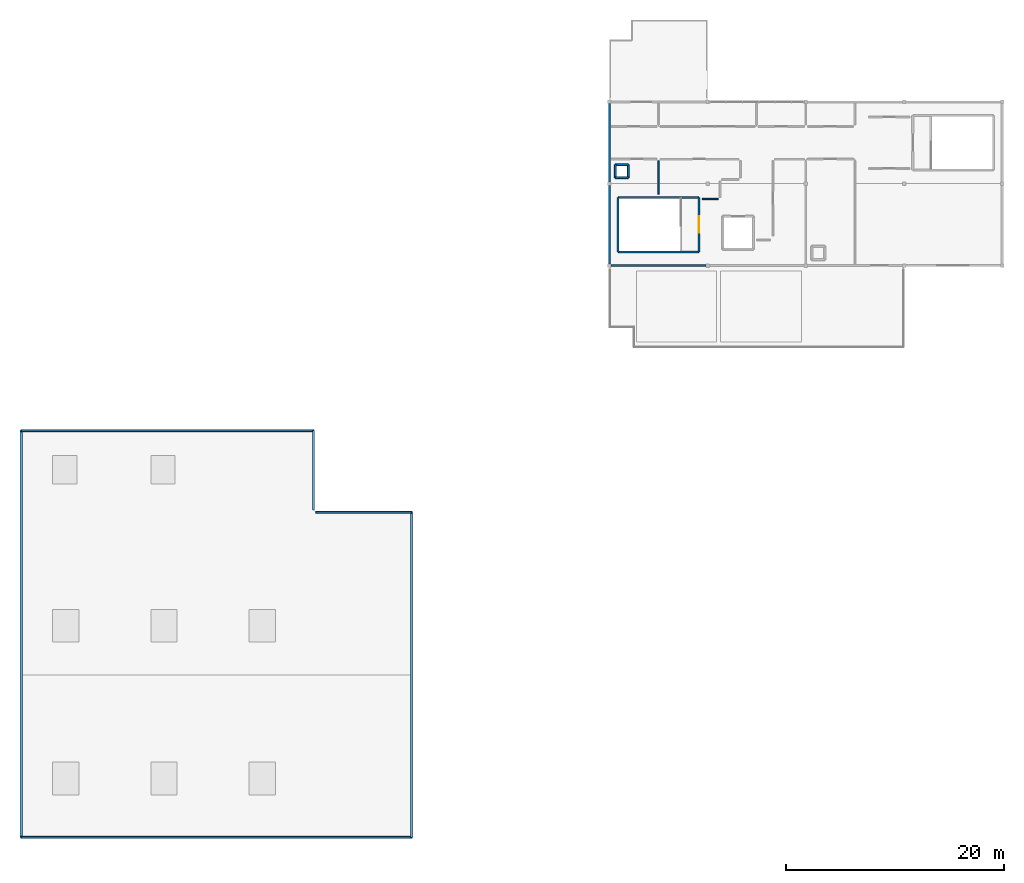
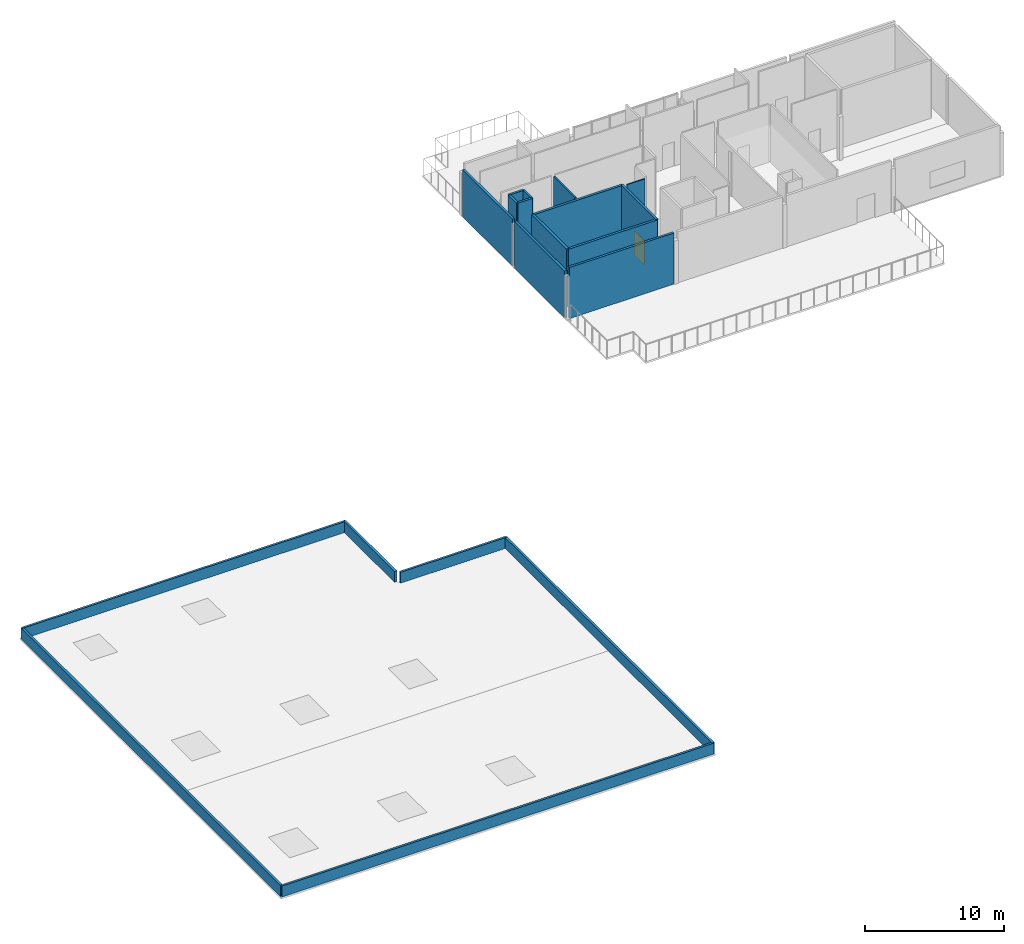
# One storey, part 5 of 8: 19 walls, 1 door, 1 opening.
"""IFC4 building model written with IfcOpenShell, lengths in metres."""

from ifc_helpers import new_model, si_unit, direction, frame, frame_2d, origin, place, context, subcontext, project, spatial, rectangle, extrude, material, layer, layer_set, type_object, element, fill, save


model = new_model("IFC4")

# Units and contexts
model_context = context("Model", 3, precision=1e-05, world=origin(), true_north=direction((0.0, 1.0)))
body_context = subcontext(model_context, "Body", "Model", "MODEL_VIEW")
ifc_project = project(units=[si_unit("LENGTHUNIT", "METRE"), si_unit("AREAUNIT", "SQUARE_METRE"), si_unit("VOLUMEUNIT", "CUBIC_METRE"), si_unit("PLANEANGLEUNIT", "RADIAN"), si_unit("MASSUNIT", "GRAM", prefix="KILO")], contexts=[model_context])

# Site, building, storey
site_placement = place(None, origin())
site = spatial("IfcSite", under=ifc_project, at=site_placement, CompositionType="ELEMENT")
building_placement = place(site_placement, origin())
building = spatial("IfcBuilding", under=site, at=building_placement, Name="Marnridge Secondary College", CompositionType="ELEMENT")
storey_placement = place(building_placement, frame((0.0, 0.0, 19.89990234375)))
storey = spatial("IfcBuildingStorey", under=building, at=storey_placement, Name="L05", CompositionType="ELEMENT", Elevation=19.89990234375)

# Wall
ifc_material_1 = material(Name="Concrete C40/50 (AS 3600 N40, 40 MPa)", Category="concrete")
ifc_layer_1 = layer(ifc_material_1, 0.199951171875)
ifc_layer_set_1 = layer_set([ifc_layer_1], Name="WT-CORE-RC200")
wall_type_1 = type_object("IfcWallType", Name="WT-CORE-RC200", PredefinedType="SHEAR", material=ifc_layer_set_1)
wall_1_placement = place(storey_placement, frame((54.800048828125, 53.75, 0.0), z_axis=(0.0, 0.0, 1.0), x_axis=(1.0, 0.0, 0.0)))
element("IfcWall", 1, at=wall_1_placement, inside=storey, type_object=wall_type_1, Name="Stair core shear wall WC-L05-0269", PredefinedType="SHEAR", context=body_context, shape_type="SweptSolid", body=[
    extrude(rectangle(XDim=7.39990234375, YDim=0.199951171875, at=frame_2d((3.699951171875, 0.0))), origin(), (0.0, 0.0, 1.0), 5.10009765625),
])

# Wall, opening, door
wall_2_placement = place(storey_placement, frame((62.199951171875, 53.75, 0.0), z_axis=(0.0, 0.0, 1.0), x_axis=(0.0, 1.0, 0.0)))
wall_2 = element("IfcWall", 2, at=wall_2_placement, inside=storey, type_object=wall_type_1, Name="Stair core shear wall WC-L05-0270", PredefinedType="SHEAR", context=body_context, shape_type="SweptSolid", body=[
    extrude(rectangle(XDim=5.0, YDim=0.199951171875, at=frame_2d((2.5, 0.0))), origin(), (0.0, 0.0, 1.0), 5.10009765625),
])
opening_placement = place(wall_2_placement, frame((1.75, 0.0, 0.0)))
opening = element("IfcOpeningElement", 3, at=opening_placement, cuts=wall_2, Name="Opening DC-L05-006", PredefinedType="OPENING", context=body_context, shape_type="SweptSolid", body=[
    extrude(rectangle(XDim=1.5, YDim=2.14990234375, at=frame_2d((0.75, 1.074951171875))), frame((0.0, 0.10986328125, 0.0), z_axis=(0.0, -1.0, 0.0), x_axis=(1.0, 0.0, 0.0)), (0.0, 0.0, 1.0), 0.219970703125),
])
ifc_material_2 = material(Name="Fire-rated solid-core timber doorset", Category="wood")
door_type = type_object("IfcDoorType", Name="DT-CORE-FD150", OperationType="DOUBLE_DOOR_SINGLE_SWING", PredefinedType="DOOR", material=ifc_material_2)
door_placement = place(opening_placement, origin())
door = element("IfcDoor", 4, at=door_placement, inside=storey, type_object=door_type, Name="Fire stair door DC-L05-006", OperationType="DOUBLE_DOOR_SINGLE_SWING", OverallHeight=2.14990234375, OverallWidth=1.5, PredefinedType="DOOR", context=body_context, shape_type="SweptSolid", body=[
    extrude(rectangle(XDim=1.5, YDim=2.14990234375, at=frame_2d((0.75, 1.074951171875))), frame((0.0, 0.02490234375, 0.0), z_axis=(0.0, -1.0, 0.0), x_axis=(1.0, 0.0, 0.0)), (0.0, 0.0, 1.0), 0.050048828125),
])
fill(opening, door)

# Walls
wall_3_placement = place(storey_placement, frame((62.199951171875, 58.75, 0.0), z_axis=(0.0, 0.0, 1.0), x_axis=(-1.0, 0.0, 0.0)))
element("IfcWall", 5, at=wall_3_placement, inside=storey, type_object=wall_type_1, Name="Stair core shear wall WC-L05-0271", PredefinedType="SHEAR", context=body_context, shape_type="SweptSolid", body=[
    extrude(rectangle(XDim=7.39990234375, YDim=0.199951171875, at=frame_2d((3.699951171875, 0.0))), origin(), (0.0, 0.0, 1.0), 5.10009765625),
])
wall_4_placement = place(storey_placement, frame((54.800048828125, 58.75, 0.0), z_axis=(0.0, 0.0, 1.0), x_axis=(0.0, -1.0, 0.0)))
element("IfcWall", 6, at=wall_4_placement, inside=storey, type_object=wall_type_1, Name="Stair core shear wall WC-L05-0272", PredefinedType="SHEAR", context=body_context, shape_type="SweptSolid", body=[
    extrude(rectangle(XDim=5.0, YDim=0.199951171875, at=frame_2d((2.5, 0.0))), origin(), (0.0, 0.0, 1.0), 5.10009765625),
])
ifc_material_3 = material(Name="Cross-laminated timber CL5", Category="wood")
ifc_layer_2 = layer(ifc_material_3, 0.195068359375)
ifc_layer_set_2 = layer_set([ifc_layer_2], Name="WT-EXT-CLT195")
wall_type_2 = type_object("IfcWallType", Name="WT-EXT-CLT195", PredefinedType="SOLIDWALL", material=ifc_layer_set_2)
wall_5_placement = place(storey_placement, frame((62.846435546875, 52.5, 0.0), z_axis=(0.0, 0.0, 1.0), x_axis=(-1.0, 0.0, 0.0)))
element("IfcWall", 7, at=wall_5_placement, inside=storey, type_object=wall_type_2, Name="Exterior wall WE-L05-0215", PredefinedType="SOLIDWALL", context=body_context, shape_type="SweptSolid", body=[
    extrude(rectangle(XDim=8.69287109375, YDim=0.195068359375, at=frame_2d((4.346435546875, 0.0))), origin(), (0.0, 0.0, 1.0), 4.48046875),
])
for number, where, z_axis, x_axis, name in (
    (8, (54.0, 52.653564453125, 0.0), (0.0, 0.0, 1.0), (0.0, 1.0, 0.0), "Exterior wall WE-L05-0216"),
    (9, (54.0, 60.153564453125, 0.0), (0.0, 0.0, 1.0), (0.0, 1.0, 0.0), "Exterior wall WE-L05-0217"),
):
    element("IfcWall", number, at=place(storey_placement, frame(where, z_axis=z_axis, x_axis=x_axis)), inside=storey, type_object=wall_type_2, Name=name, PredefinedType="SOLIDWALL", context=body_context, shape_type="SweptSolid", body=[
        extrude(rectangle(XDim=7.19287109375, YDim=0.195068359375, at=frame_2d((3.596435546875, 0.0))), origin(), (0.0, 0.0, 1.0), 4.112060546875),
    ])
ifc_material_4 = material(Name="Precast concrete C40/50 (AS 3600 N40, 40 MPa)", Category="concrete")
ifc_layer_3 = layer(ifc_material_4, 0.179931640625)
ifc_layer_set_3 = layer_set([ifc_layer_3], Name="WT-PAR-RC180")
wall_type_3 = type_object("IfcWallType", Name="WT-PAR-RC180", PredefinedType="PARAPET", material=ifc_layer_set_3)
wall_6_placement = place(storey_placement, frame((0.10009765625, 37.3798828125, 0.0), z_axis=(0.0, 0.0, 1.0), x_axis=(1.0, 0.0, 0.0)))
element("IfcWall", 10, at=wall_6_placement, inside=storey, type_object=wall_type_3, Name="Roof parapet WP-015", PredefinedType="PARAPET", context=body_context, shape_type="SweptSolid", body=[
    extrude(rectangle(XDim=26.7998046875, YDim=0.179931640625, at=frame_2d((13.39990234375, 0.0))), origin(), (0.0, 0.0, 1.0), 0.9501953125),
])
wall_7_placement = place(storey_placement, frame((27.10009765625, 29.8798828125, 0.0), z_axis=(0.0, 0.0, 1.0), x_axis=(1.0, 0.0, 0.0)))
element("IfcWall", 11, at=wall_7_placement, inside=storey, type_object=wall_type_3, Name="Roof parapet WP-017", PredefinedType="PARAPET", context=body_context, shape_type="SweptSolid", body=[
    extrude(rectangle(XDim=8.7998046875, YDim=0.179931640625, at=frame_2d((4.39990234375, 0.0))), origin(), (0.0, 0.0, 1.0), 0.9501953125),
])
wall_8_placement = place(storey_placement, frame((35.89990234375, 0.1201171875, 0.0), z_axis=(0.0, 0.0, 1.0), x_axis=(-1.0, 0.0, 0.0)))
element("IfcWall", 12, at=wall_8_placement, inside=storey, type_object=wall_type_3, Name="Roof parapet WP-019", PredefinedType="PARAPET", context=body_context, shape_type="SweptSolid", body=[
    extrude(rectangle(XDim=35.7998046875, YDim=0.179931640625, at=frame_2d((17.89990234375, 0.0))), origin(), (0.0, 0.0, 1.0), 0.9501953125),
])
ifc_material_5 = material(Name="Precast concrete C40/50 (AS 3600 N40, 40 MPa)", Category="concrete")
ifc_layer_4 = layer(ifc_material_5, 0.199951171875)
ifc_layer_set_4 = layer_set([ifc_layer_4], Name="WT-PAR-RC200")
wall_type_4 = type_object("IfcWallType", Name="WT-PAR-RC200", PredefinedType="PARAPET", material=ifc_layer_set_4)
wall_9_placement = place(storey_placement, frame((26.8798828125, 37.39990234375, 0.0), z_axis=(0.0, 0.0, 1.0), x_axis=(0.0, -1.0, 0.0)))
element("IfcWall", 13, at=wall_9_placement, inside=storey, type_object=wall_type_4, Name="Roof parapet WP-016", PredefinedType="PARAPET", context=body_context, shape_type="SweptSolid", body=[
    extrude(rectangle(XDim=7.2998046875, YDim=0.199951171875, at=frame_2d((3.64990234375, 0.0))), origin(), (0.0, 0.0, 1.0), 0.9501953125),
])
wall_10_placement = place(storey_placement, frame((35.8798828125, 29.89990234375, 0.0), z_axis=(0.0, 0.0, 1.0), x_axis=(0.0, -1.0, 0.0)))
element("IfcWall", 14, at=wall_10_placement, inside=storey, type_object=wall_type_4, Name="Roof parapet WP-018", PredefinedType="PARAPET", context=body_context, shape_type="SweptSolid", body=[
    extrude(rectangle(XDim=29.7998046875, YDim=0.199951171875, at=frame_2d((14.89990234375, 0.0))), origin(), (0.0, 0.0, 1.0), 0.9501953125),
])
wall_11_placement = place(storey_placement, frame((0.1201171875, 0.10009765625, 0.0), z_axis=(0.0, 0.0, 1.0), x_axis=(0.0, 1.0, 0.0)))
element("IfcWall", 15, at=wall_11_placement, inside=storey, type_object=wall_type_4, Name="Roof parapet WP-020", PredefinedType="PARAPET", context=body_context, shape_type="SweptSolid", body=[
    extrude(rectangle(XDim=37.2998046875, YDim=0.199951171875, at=frame_2d((18.64990234375, 0.0))), origin(), (0.0, 0.0, 1.0), 0.9501953125),
])
ifc_material_6 = material(Name="Acoustic plasterboard partition Rw48", Category="gypsum")
ifc_layer_5 = layer(ifc_material_6, 0.135009765625)
ifc_layer_set_5 = layer_set([ifc_layer_5], Name="WT-PART-AC135")
wall_type_5 = type_object("IfcWallType", Name="WT-PART-AC135", PredefinedType="PARTITIONING", material=ifc_layer_set_5)
wall_12_placement = place(storey_placement, frame((58.5, 59.050048828125, 0.0), z_axis=(0.0, 0.0, 1.0), x_axis=(0.0, 1.0, 0.0)))
element("IfcWall", 16, at=wall_12_placement, inside=storey, type_object=wall_type_5, Name="Interior partition WP-L05-0480", PredefinedType="PARTITIONING", context=body_context, shape_type="SweptSolid", body=[
    extrude(rectangle(XDim=3.0400390625, YDim=0.135009765625, at=frame_2d((1.52001953125, 0.0))), origin(), (0.0, 0.0, 1.0), 5.10009765625),
])
ifc_material_7 = material(Name="Acoustic glazed studio partition system", Category="gypsum")
ifc_layer_6 = layer(ifc_material_7, 0.10009765625)
ifc_layer_set_6 = layer_set([ifc_layer_6], Name="WT-PART-GL100")
wall_type_6 = type_object("IfcWallType", Name="WT-PART-GL100", PredefinedType="PARTITIONING", material=ifc_layer_set_6)
wall_13_placement = place(storey_placement, frame((62.5, 58.60009765625, 0.0), z_axis=(0.0, 0.0, 1.0), x_axis=(1.0, 0.0, 0.0)))
element("IfcWall", 17, at=wall_13_placement, inside=storey, type_object=wall_type_6, Name="Interior partition WP-L05-0469", PredefinedType="PARTITIONING", context=body_context, shape_type="SweptSolid", body=[
    extrude(rectangle(XDim=1.489990234375, YDim=0.10009765625, at=frame_2d((0.7451171875, 0.0))), origin(), (0.0, 0.0, 1.0), 5.10009765625),
])
ifc_material_8 = material(Name="Concrete C40/50 (AS 3600 N40, 40 MPa)", Category="concrete")
ifc_layer_7 = layer(ifc_material_8, 0.179931640625)
ifc_layer_set_7 = layer_set([ifc_layer_7], Name="WT-SHAFT-RC180")
wall_type_7 = type_object("IfcWallType", Name="WT-SHAFT-RC180", PredefinedType="SHEAR", material=ifc_layer_set_7)
for number, where, z_axis, x_axis, name in (
    (18, (55.75, 60.550048828125, 0.0), (0.0, 0.0, 1.0), (-1.0, 0.0, 0.0), "Service riser shaft wall WR-L05-0245"),
    (19, (54.550048828125, 60.550048828125, 0.0), (0.0, 0.0, 1.0), (0.0, 1.0, 0.0), "Service riser shaft wall WR-L05-0246"),
    (20, (54.550048828125, 61.75, 0.0), (0.0, 0.0, 1.0), (1.0, 0.0, 0.0), "Service riser shaft wall WR-L05-0247"),
    (21, (55.75, 61.75, 0.0), (0.0, 0.0, 1.0), (0.0, -1.0, 0.0), "Service riser shaft wall WR-L05-0248"),
):
    element("IfcWall", number, at=place(storey_placement, frame(where, z_axis=z_axis, x_axis=x_axis)), inside=storey, type_object=wall_type_7, Name=name, PredefinedType="SHEAR", context=body_context, shape_type="SweptSolid", body=[
        extrude(rectangle(XDim=1.199951171875, YDim=0.179931640625, at=frame_2d((0.60009765625, 0.0))), origin(), (0.0, 0.0, 1.0), 5.10009765625),
    ])

save(model, "model.ifc")
